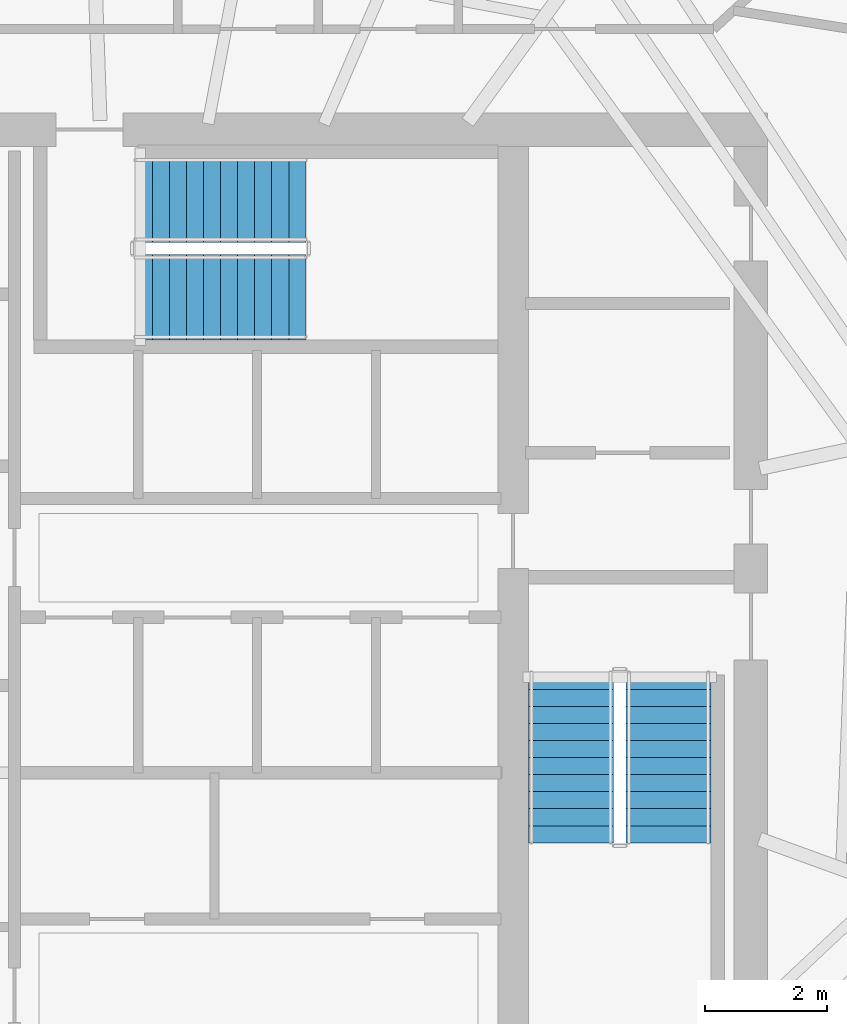
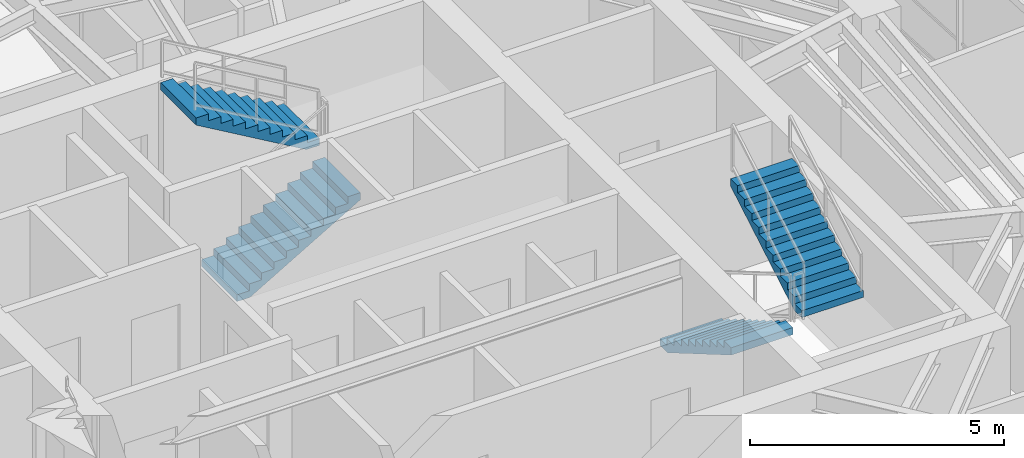
# One storey, part 17 of 19: 4 stair flights, 2 elements without a shape of their own.
"""IFC4 building model written with IfcOpenShell, lengths in metres."""

from ifc_helpers import new_model, si_unit, direction, frame, origin, place, context, subcontext, project, spatial, polyline, outline, extrude, material, type_object, element, aggregate, save


model = new_model("IFC4")

# Units and contexts
model_context = context("Model", 3, precision=1e-05, world=origin(), true_north=direction((0.0, 1.0)))
body_context = subcontext(model_context, "Body", "Model", "MODEL_VIEW")
ifc_project = project(units=[si_unit("LENGTHUNIT", "METRE"), si_unit("AREAUNIT", "SQUARE_METRE"), si_unit("VOLUMEUNIT", "CUBIC_METRE"), si_unit("PLANEANGLEUNIT", "RADIAN"), si_unit("MASSUNIT", "GRAM", prefix="KILO")], contexts=[model_context])

# Site, building, storey
site_placement = place(None, origin())
site = spatial("IfcSite", under=ifc_project, at=site_placement, CompositionType="ELEMENT")
building_placement = place(site_placement, origin())
building = spatial("IfcBuilding", under=site, at=building_placement, Name="Qarnah Convention Tower", CompositionType="ELEMENT")
storey_placement = place(building_placement, frame((0.0, 0.0, 187.800048828125)))
storey = spatial("IfcBuildingStorey", under=building, at=storey_placement, Name="L50", CompositionType="ELEMENT", Elevation=187.800048828125)

# Stair, stair flights
ifc_material = material(Name="Concrete C50/60", Category="concrete")
stair_type = type_object("IfcStairType", Name="STR-OFF", PredefinedType="HALF_TURN_STAIR", material=ifc_material)
stair_1_placement = place(storey_placement, origin())
stair_1 = element("IfcStair", 1, at=stair_1_placement, inside=storey, type_object=stair_type, Name="L50 Core exit stair ST-2", PredefinedType="HALF_TURN_STAIR")
stair_flight_type = type_object("IfcStairFlightType", Name="FLT-OFF", PredefinedType="STRAIGHT", material=ifc_material)
stair_flight_1_placement = place(storey_placement, frame((44.64990234375, 25.300048828125, 0.0), z_axis=(0.0, 0.0, 1.0), x_axis=(0.0, -1.0, 0.0)))
stair_flight_1 = element("IfcStairFlight", 2, at=stair_flight_1_placement, type_object=stair_flight_type, Name="ST-2 flight 1", NumberOfRisers=11, NumberOfTreads=10, PredefinedType="STRAIGHT", RiserHeight=0.163636364, TreadLength=0.28, context=body_context, shape_type="SweptSolid", body=[
    extrude(outline(polyline([(0.0, 0.0), (0.0, 0.16357421875), (0.280029296875, 0.16357421875), (0.280029296875, 0.327392578125), (0.56005859375, 0.327392578125), (0.56005859375, 0.490966796875), (0.840087890625, 0.490966796875), (0.840087890625, 0.654541015625), (1.1201171875, 0.654541015625), (1.1201171875, 0.818115234375), (1.39990234375, 0.818115234375), (1.39990234375, 0.98193359375), (1.679931640625, 0.98193359375), (1.679931640625, 1.1455078125), (1.9599609375, 1.1455078125), (1.9599609375, 1.30908203125), (2.239990234375, 1.30908203125), (2.239990234375, 1.47265625), (2.52001953125, 1.47265625), (2.52001953125, 1.636474609375), (2.800048828125, 1.636474609375), (2.800048828125, 1.800048828125), (2.800048828125, 1.462646484375), (0.297119140625, 0.0), (0.0, 0.0)])), frame((0.0, 0.699951171875, 0.0), z_axis=(0.0, -1.0, 0.0), x_axis=(1.0, 0.0, 0.0)), (0.0, 0.0, 1.0), 1.39990234375),
])
stair_flight_2_placement = place(storey_placement, frame((46.25, 22.5, 1.800048828125), z_axis=(0.0, 0.0, 1.0), x_axis=(0.0, 1.0, 0.0)))
stair_flight_2 = element("IfcStairFlight", 3, at=stair_flight_2_placement, type_object=stair_flight_type, Name="ST-2 flight 2", NumberOfRisers=11, NumberOfTreads=10, PredefinedType="STRAIGHT", RiserHeight=0.163636364, TreadLength=0.28, context=body_context, shape_type="SweptSolid", body=[
    extrude(outline(polyline([(0.0, 0.0), (0.0, 0.16357421875), (0.280029296875, 0.16357421875), (0.280029296875, 0.327392578125), (0.56005859375, 0.327392578125), (0.56005859375, 0.490966796875), (0.840087890625, 0.490966796875), (0.840087890625, 0.654541015625), (1.1201171875, 0.654541015625), (1.1201171875, 0.818115234375), (1.39990234375, 0.818115234375), (1.39990234375, 0.98193359375), (1.679931640625, 0.98193359375), (1.679931640625, 1.1455078125), (1.9599609375, 1.1455078125), (1.9599609375, 1.30908203125), (2.239990234375, 1.30908203125), (2.239990234375, 1.47265625), (2.52001953125, 1.47265625), (2.52001953125, 1.636474609375), (2.800048828125, 1.636474609375), (2.800048828125, 1.800048828125), (2.800048828125, 1.462646484375), (0.297119140625, 0.0), (0.0, 0.0)])), frame((0.0, 0.699951171875, 0.0), z_axis=(0.0, -1.0, 0.0), x_axis=(1.0, 0.0, 0.0)), (0.0, 0.0, 1.0), 1.39990234375),
])
aggregate(stair_1, [stair_flight_1, stair_flight_2])

stair_2_placement = place(storey_placement, origin())
stair_2 = element("IfcStair", 4, at=stair_2_placement, inside=storey, type_object=stair_type, Name="L50 Core exit stair ST-3", PredefinedType="HALF_TURN_STAIR")
stair_flight_3_placement = place(storey_placement, frame((37.5, 31.449951171875, 0.0), z_axis=(0.0, 0.0, 1.0), x_axis=(1.0, 0.0, 0.0)))
stair_flight_3 = element("IfcStairFlight", 5, at=stair_flight_3_placement, type_object=stair_flight_type, Name="ST-3 flight 1", NumberOfRisers=11, NumberOfTreads=10, PredefinedType="STRAIGHT", RiserHeight=0.163636364, TreadLength=0.28, context=body_context, shape_type="SweptSolid", body=[
    extrude(outline(polyline([(0.0, 0.0), (0.0, 0.16357421875), (0.280029296875, 0.16357421875), (0.280029296875, 0.327392578125), (0.56005859375, 0.327392578125), (0.56005859375, 0.490966796875), (0.840087890625, 0.490966796875), (0.840087890625, 0.654541015625), (1.1201171875, 0.654541015625), (1.1201171875, 0.818115234375), (1.39990234375, 0.818115234375), (1.39990234375, 0.98193359375), (1.679931640625, 0.98193359375), (1.679931640625, 1.1455078125), (1.9599609375, 1.1455078125), (1.9599609375, 1.30908203125), (2.239990234375, 1.30908203125), (2.239990234375, 1.47265625), (2.52001953125, 1.47265625), (2.52001953125, 1.636474609375), (2.800048828125, 1.636474609375), (2.800048828125, 1.800048828125), (2.800048828125, 1.462646484375), (0.297119140625, 0.0), (0.0, 0.0)])), frame((0.0, 0.699951171875, 0.0), z_axis=(0.0, -1.0, 0.0), x_axis=(1.0, 0.0, 0.0)), (0.0, 0.0, 1.0), 1.39990234375),
])
stair_flight_4_placement = place(storey_placement, frame((40.300048828125, 33.050048828125, 1.800048828125), z_axis=(0.0, 0.0, 1.0), x_axis=(-1.0, 0.0, 0.0)))
stair_flight_4 = element("IfcStairFlight", 6, at=stair_flight_4_placement, type_object=stair_flight_type, Name="ST-3 flight 2", NumberOfRisers=11, NumberOfTreads=10, PredefinedType="STRAIGHT", RiserHeight=0.163636364, TreadLength=0.28, context=body_context, shape_type="SweptSolid", body=[
    extrude(outline(polyline([(0.0, 0.0), (0.0, 0.16357421875), (0.280029296875, 0.16357421875), (0.280029296875, 0.327392578125), (0.56005859375, 0.327392578125), (0.56005859375, 0.490966796875), (0.840087890625, 0.490966796875), (0.840087890625, 0.654541015625), (1.1201171875, 0.654541015625), (1.1201171875, 0.818115234375), (1.39990234375, 0.818115234375), (1.39990234375, 0.98193359375), (1.679931640625, 0.98193359375), (1.679931640625, 1.1455078125), (1.9599609375, 1.1455078125), (1.9599609375, 1.30908203125), (2.239990234375, 1.30908203125), (2.239990234375, 1.47265625), (2.52001953125, 1.47265625), (2.52001953125, 1.636474609375), (2.800048828125, 1.636474609375), (2.800048828125, 1.800048828125), (2.800048828125, 1.462646484375), (0.297119140625, 0.0), (0.0, 0.0)])), frame((0.0, 0.699951171875, 0.0), z_axis=(0.0, -1.0, 0.0), x_axis=(1.0, 0.0, 0.0)), (0.0, 0.0, 1.0), 1.39990234375),
])
aggregate(stair_2, [stair_flight_3, stair_flight_4])

save(model, "model.ifc")
